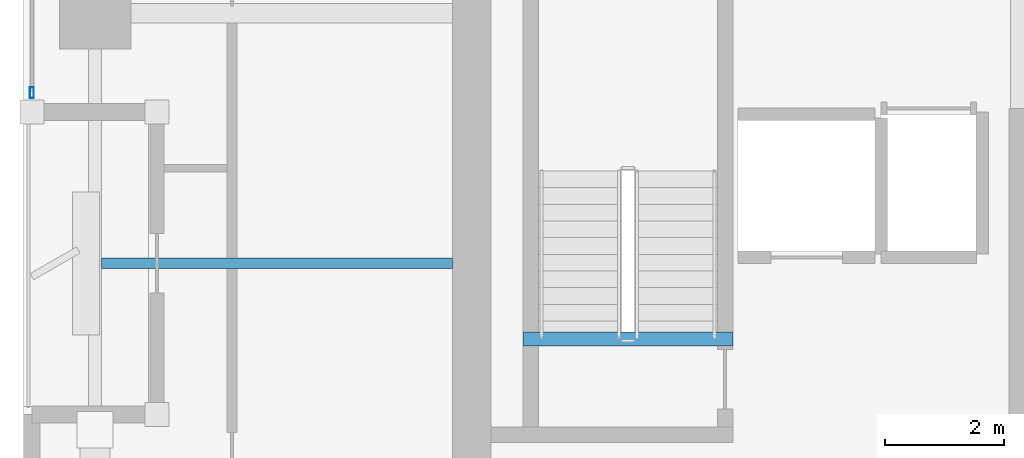
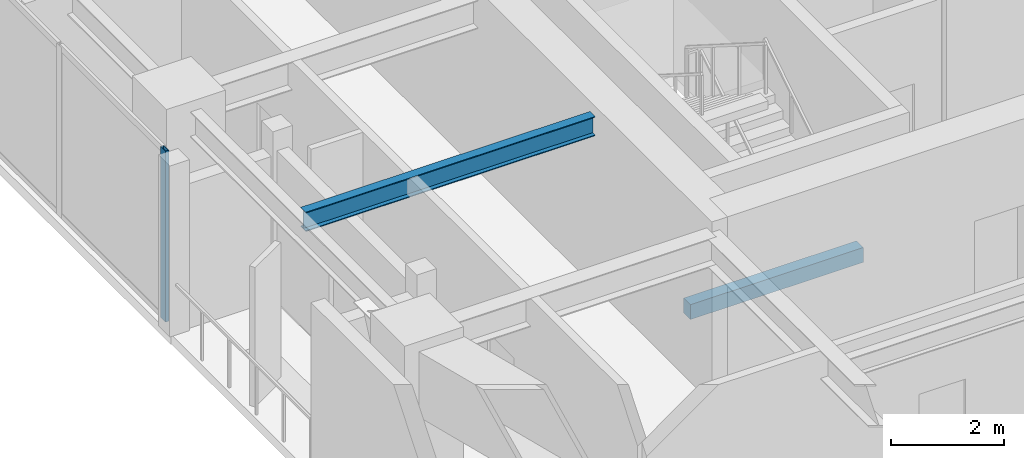
# One storey, part 2 of 21: 2 beams, 1 member, 1 element without a shape of its own.
"""IFC4 building model written with IfcOpenShell, lengths in metres."""

from ifc_helpers import new_model, si_unit, direction, frame, origin, origin_2d, place, context, subcontext, project, spatial, rectangle, hollow_rectangle, i_section, extrude, material, layer, layer_set, material_profile, profile_set, type_object, element, aggregate, save


model = new_model("IFC4")

# Units and contexts
model_context = context("Model", 3, precision=1e-05, world=origin(), true_north=direction((0.0, 1.0)))
body_context = subcontext(model_context, "Body", "Model", "MODEL_VIEW")
ifc_project = project(units=[si_unit("LENGTHUNIT", "METRE"), si_unit("AREAUNIT", "SQUARE_METRE"), si_unit("VOLUMEUNIT", "CUBIC_METRE"), si_unit("PLANEANGLEUNIT", "RADIAN"), si_unit("MASSUNIT", "GRAM", prefix="KILO")], contexts=[model_context])

# Site, building, storey
site_placement = place(None, origin())
site = spatial("IfcSite", under=ifc_project, at=site_placement, CompositionType="ELEMENT")
building_placement = place(site_placement, origin())
building = spatial("IfcBuilding", under=site, at=building_placement, Name="Kiyonajd Concourse Tower", CompositionType="ELEMENT")
storey_placement = place(building_placement, frame((0.0, 0.0, 219.300048828125)))
storey = spatial("IfcBuildingStorey", under=building, at=storey_placement, Name="L55", CompositionType="ELEMENT", Elevation=219.300048828125)

# Beams
ifc_material_1 = material(Name="Steel ASTM A992 Grade 50", Category="steel")
ifc_material_profile_1 = material_profile(ifc_material_1, i_section(OverallWidth=0.180908203125, OverallDepth=0.4169921875, WebThickness=0.010986328125, FlangeThickness=0.018310546875, at=origin_2d()), Name="W410X85")
ifc_profile_set_1 = profile_set([ifc_material_profile_1], Name="Steel ASTM A992 Grade 50")
beam_type_1 = type_object("IfcBeamType", Name="BM-JST-410", PredefinedType="JOIST", material=ifc_profile_set_1)
beam_1_placement = place(storey_placement, frame((26.507080078125, 31.800048828125, 3.471435546875), z_axis=(1.0, 0.0, 0.0), x_axis=(0.0, 1.0, 0.0)))
element("IfcBeam", 1, at=beam_1_placement, inside=storey, type_object=beam_type_1, Name="L55 West Secondary Floor Joist", PredefinedType="JOIST", context=body_context, shape_type="SweptSolid", body=[
    extrude(i_section(OverallWidth=0.180908203125, OverallDepth=0.4169921875, WebThickness=0.010986328125, FlangeThickness=0.018310546875, at=origin_2d()), origin(), (0.0, 0.0, 1.0), 5.892822265625),
])
ifc_material_2 = material(Name="Concrete C50/60", Category="concrete")
ifc_material_profile_2 = material_profile(ifc_material_2, rectangle(XDim=0.239990234375, YDim=0.320068359375, at=origin_2d()), Name="RCBM-240x320")
ifc_profile_set_2 = profile_set([ifc_material_profile_2], Name="Concrete C50/60")
beam_type_2 = type_object("IfcBeamType", Name="BM-LNT-250", PredefinedType="LINTEL", material=ifc_profile_set_2)
beam_2_placement = place(storey_placement, frame((33.590087890625, 30.530029296875, -0.16015625), z_axis=(1.0, 0.0, 0.0), x_axis=(0.0, 1.0, 0.0)))
element("IfcBeam", 2, at=beam_2_placement, inside=storey, type_object=beam_type_2, Name="L55 Stair ST1 Threshold Support Beam", PredefinedType="LINTEL", context=body_context, shape_type="SweptSolid", body=[
    extrude(rectangle(XDim=0.239990234375, YDim=0.320068359375, at=origin_2d()), origin(), (0.0, 0.0, 1.0), 3.52001953125),
])

# Curtain wall, member
ifc_material_3 = material(Name="Thermally Broken Anodised Aluminium", Category="aluminium")
ifc_layer = layer(ifc_material_3, 0.179931640625)
ifc_layer_set = layer_set([ifc_layer], Name="Thermally Broken Anodised Aluminium")
curtain_wall_type = type_object("IfcCurtainWallType", Name="CW-SYS-04", PredefinedType="NOTDEFINED", material=ifc_layer_set)
curtain_wall_placement = place(storey_placement, origin())
curtain_wall = element("IfcCurtainWall", 3, at=curtain_wall_placement, inside=storey, type_object=curtain_wall_type, Name="L55 Unitised Curtain Wall CW4", PredefinedType="NOTDEFINED")
ifc_material_profile_3 = material_profile(ifc_material_3, hollow_rectangle(XDim=0.06494140625, YDim=0.179931640625, WallThickness=0.00390625, at=origin_2d()), Name="MULL-65x180")
ifc_profile_set_3 = profile_set([ifc_material_profile_3], Name="Thermally Broken Anodised Aluminium")
member_type = type_object("IfcMemberType", Name="MB-CW-MULL1", PredefinedType="MULLION", material=ifc_profile_set_3)
member_placement = place(storey_placement, frame((25.340087890625, 34.66259765625, 0.0), z_axis=(0.0, 0.0, 1.0), x_axis=(-1.0, 0.0, 0.0)))
member = element("IfcMember", 4, at=member_placement, type_object=member_type, Name="CW4 mullion 1", PredefinedType="MULLION", context=body_context, shape_type="SweptSolid", body=[
    extrude(hollow_rectangle(XDim=0.06494140625, YDim=0.179931640625, WallThickness=0.00390625, at=origin_2d()), origin(), (0.0, 0.0, 1.0), 3.679931640625),
])
aggregate(curtain_wall, [member])

save(model, "model.ifc")
